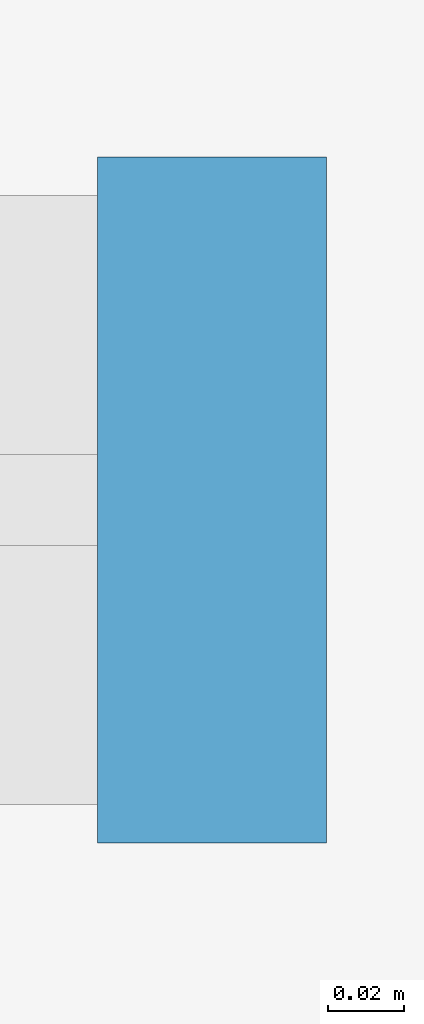
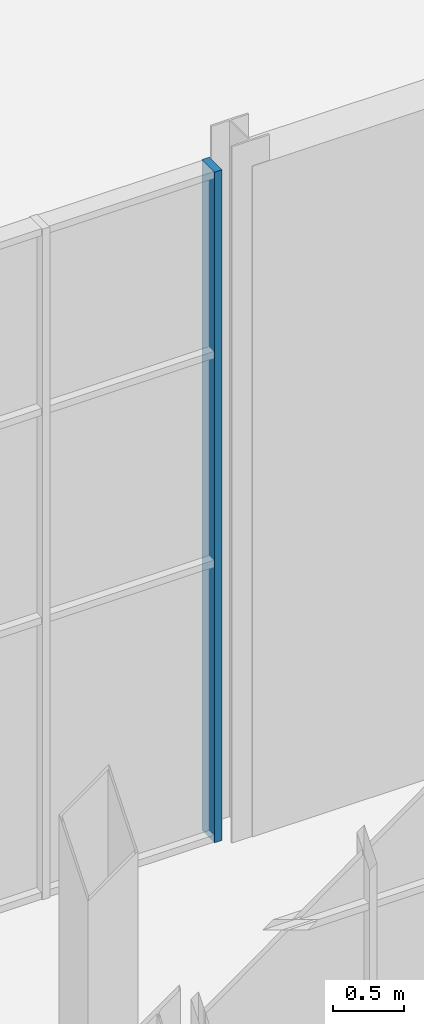
# One storey, part 59 of 131: 1 member, 1 element without a shape of its own.
"""IFC4 building model written with IfcOpenShell, lengths in metres."""

from ifc_helpers import new_model, si_unit, direction, frame, origin, origin_2d, place, context, subcontext, project, spatial, rectangle, extrude, material, layer, layer_set, material_profile, profile_set, type_object, element, aggregate, save


model = new_model("IFC4")

# Units and contexts
model_context = context("Model", 3, precision=1e-05, world=origin(), true_north=direction((0.0, 1.0)))
body_context = subcontext(model_context, "Body", "Model", "MODEL_VIEW")
ifc_project = project(units=[si_unit("LENGTHUNIT", "METRE"), si_unit("AREAUNIT", "SQUARE_METRE"), si_unit("VOLUMEUNIT", "CUBIC_METRE"), si_unit("PLANEANGLEUNIT", "RADIAN"), si_unit("MASSUNIT", "GRAM", prefix="KILO")], contexts=[model_context])

# Site, building, storey
site_placement = place(None, origin())
site = spatial("IfcSite", under=ifc_project, at=site_placement, CompositionType="ELEMENT")
building_placement = place(site_placement, origin())
building = spatial("IfcBuilding", under=site, at=building_placement, Name="Cazmaro Siding Exhibition Halls", CompositionType="ELEMENT")
storey_placement = place(building_placement, origin())
storey = spatial("IfcBuildingStorey", under=building, at=storey_placement, Name="L00", CompositionType="ELEMENT", Elevation=0.0)

# Curtain wall, member
ifc_material_1 = material(Name="Anodized Bronze Aluminum and Solar-Control Low-E Glazing", Category="aluminium")
ifc_layer = layer(ifc_material_1, 0.179931640625)
ifc_layer_set = layer_set([ifc_layer], Name="Anodized Bronze Aluminum and Solar-Control Low-E Glazing")
curtain_wall_type = type_object("IfcCurtainWallType", Name="CWS-01", PredefinedType="USERDEFINED", material=ifc_layer_set)
curtain_wall_placement = place(storey_placement, origin())
curtain_wall = element("IfcCurtainWall", 1, at=curtain_wall_placement, inside=storey, type_object=curtain_wall_type, Name="Glazed Curtain Wall CWS-01 CW-027", ObjectType="GLAZED CURTAIN WALL", PredefinedType="USERDEFINED")
ifc_material_2 = material(Name="Anodized Bronze Extruded Aluminum", Category="aluminium")
ifc_material_profile = material_profile(ifc_material_2, rectangle(XDim=0.179931640625, YDim=0.06005859375, at=origin_2d()), Name="CWM-01")
ifc_profile_set = profile_set([ifc_material_profile], Name="Anodized Bronze Extruded Aluminum")
member_type = type_object("IfcMemberType", Name="CWM-01", PredefinedType="MULLION", material=ifc_profile_set)
member_placement = place(storey_placement, frame((119.77294921875, 67.199951171875, 0.0), z_axis=(0.0, 0.0, 1.0), x_axis=(0.0, 1.0, 0.0)))
member = element("IfcMember", 2, at=member_placement, type_object=member_type, Name="CWS-01 mullion 7", PredefinedType="MULLION", context=body_context, shape_type="SweptSolid", body=[
    extrude(rectangle(XDim=0.179931640625, YDim=0.06005859375, at=origin_2d()), origin(), (0.0, 0.0, 1.0), 5.780029296875),
])
aggregate(curtain_wall, [member])

save(model, "model.ifc")
